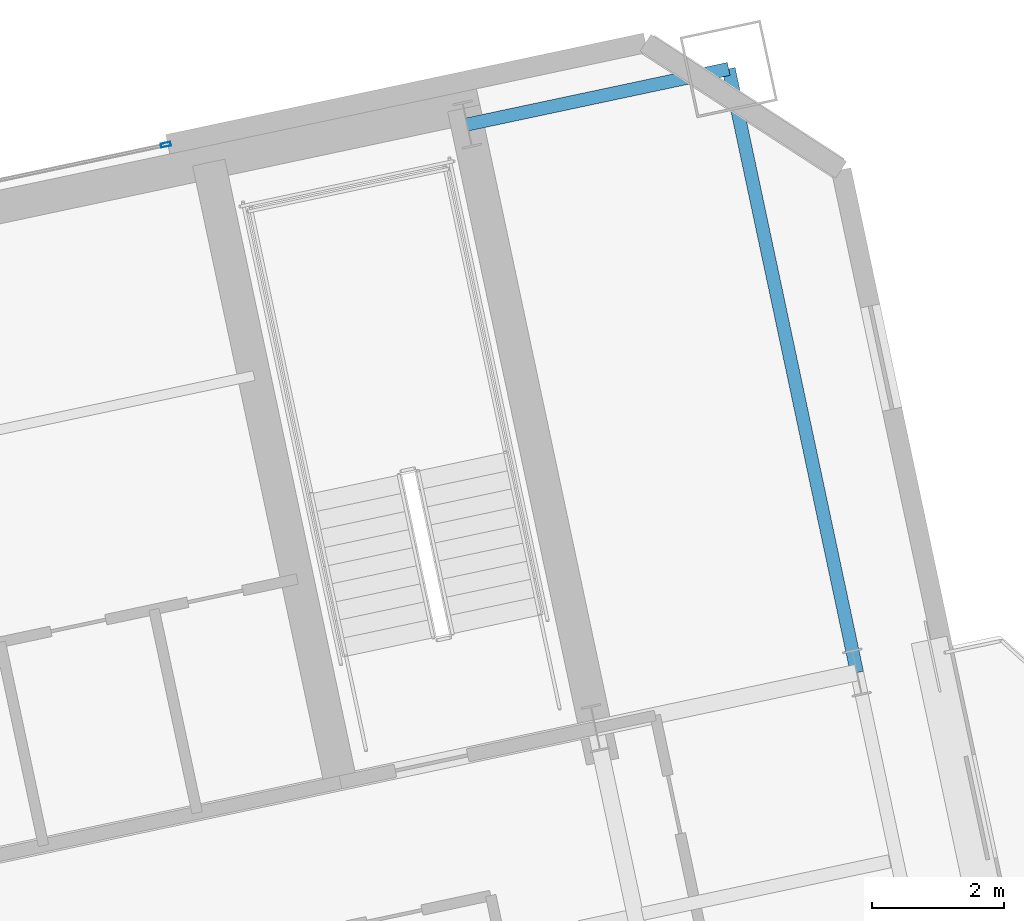
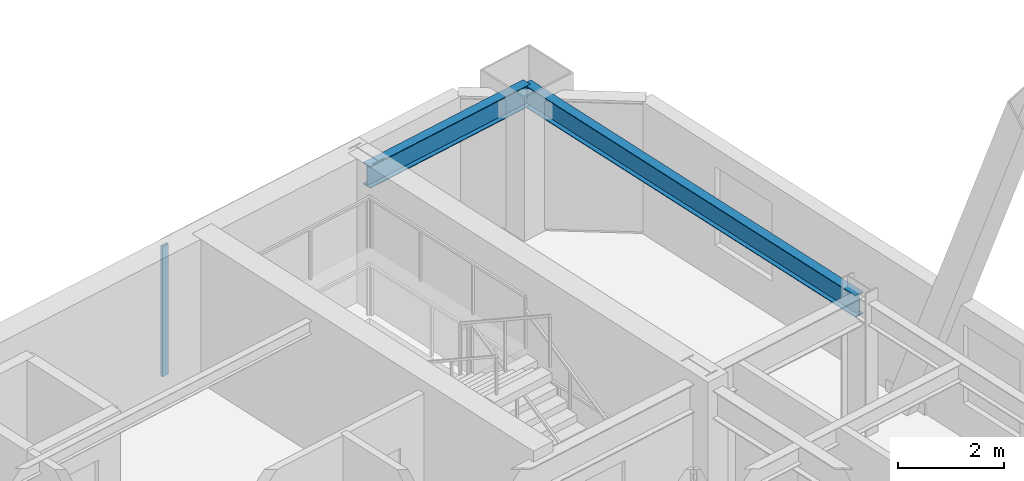
# One storey, part 7 of 19: 2 beams, 1 member, 1 element without a shape of its own.
"""IFC4 building model written with IfcOpenShell, lengths in metres."""

from ifc_helpers import new_model, si_unit, direction, frame, origin, origin_2d, place, context, subcontext, project, spatial, hollow_rectangle, i_section, extrude, material, layer, layer_set, material_profile, profile_set, type_object, element, aggregate, save


model = new_model("IFC4")

# Units and contexts
model_context = context("Model", 3, precision=1e-05, world=origin(), true_north=direction((0.0, 1.0)))
body_context = subcontext(model_context, "Body", "Model", "MODEL_VIEW")
ifc_project = project(units=[si_unit("LENGTHUNIT", "METRE"), si_unit("AREAUNIT", "SQUARE_METRE"), si_unit("VOLUMEUNIT", "CUBIC_METRE"), si_unit("PLANEANGLEUNIT", "RADIAN"), si_unit("MASSUNIT", "GRAM", prefix="KILO")], contexts=[model_context])

# Site, building, storey
site_placement = place(None, origin())
site = spatial("IfcSite", under=ifc_project, at=site_placement, CompositionType="ELEMENT")
building_placement = place(site_placement, origin())
building = spatial("IfcBuilding", under=site, at=building_placement, Name="Haevon Station Towers", CompositionType="ELEMENT")
storey_placement = place(building_placement, frame((0.0, 0.0, 156.0)))
storey = spatial("IfcBuildingStorey", under=building, at=storey_placement, Name="L42", CompositionType="ELEMENT", Elevation=156.0)

# Beams
ifc_material_1 = material(Name="Steel S355", Category="steel")
ifc_material_profile_1 = material_profile(ifc_material_1, i_section(OverallWidth=0.199951171875, OverallDepth=0.5, WebThickness=0.010009765625, FlangeThickness=0.01611328125, at=origin_2d()), Name="H-500x200x10x16")
ifc_profile_set_1 = profile_set([ifc_material_profile_1], Name="Steel S355")
beam_type = type_object("IfcBeamType", Name="BM-SP500", PredefinedType="SPANDREL", material=ifc_profile_set_1)
beam_1_placement = place(storey_placement, frame((117.349365234375, 50.954345703125, 2.800048828125), z_axis=(0.978149504816, 0.207902732613, 0.0), x_axis=(-0.207902732613, 0.978149504816, 0.0)))
element("IfcBeam", 1, at=beam_1_placement, inside=storey, type_object=beam_type, Name="BM-T2U-L42-04-04", PredefinedType="SPANDREL", context=body_context, shape_type="SweptSolid", body=[
    extrude(i_section(OverallWidth=0.199951171875, OverallDepth=0.5, WebThickness=0.010009765625, FlangeThickness=0.01611328125, at=origin_2d()), origin(), (0.0, 0.0, 1.0), 4.050048828125),
])
beam_2_placement = place(storey_placement, frame((123.2548828125, 42.650634765625, 2.800048828125), z_axis=(-0.207897167074, 0.978150687738, 0.0), x_axis=(-0.978150687738, -0.207897167074, 0.0)))
element("IfcBeam", 2, at=beam_2_placement, inside=storey, type_object=beam_type, Name="BM-T2V-L42-05-03", PredefinedType="SPANDREL", context=body_context, shape_type="SweptSolid", body=[
    extrude(i_section(OverallWidth=0.199951171875, OverallDepth=0.5, WebThickness=0.010009765625, FlangeThickness=0.01611328125, at=origin_2d()), origin(), (0.0, 0.0, 1.0), 9.35009765625),
])

# Curtain wall, member
ifc_material_2 = material(Name="Anodised aluminium and Low-E double glazing", Category="aluminium")
ifc_layer = layer(ifc_material_2, 0.179931640625)
ifc_layer_set = layer_set([ifc_layer], Name="Anodised aluminium and Low-E double glazing")
curtain_wall_type = type_object("IfcCurtainWallType", Name="CW-SYS5", PredefinedType="NOTDEFINED", material=ifc_layer_set)
curtain_wall_placement = place(storey_placement, origin())
curtain_wall = element("IfcCurtainWall", 3, at=curtain_wall_placement, inside=storey, type_object=curtain_wall_type, Name="L42 Curtain Wall CW-T2-L42-N", PredefinedType="NOTDEFINED")
ifc_material_3 = material(Name="Anodised aluminium 6063-T6", Category="aluminium")
ifc_material_profile_2 = material_profile(ifc_material_3, hollow_rectangle(XDim=0.06005859375, YDim=0.14990234375, WallThickness=0.00341796875, at=origin_2d()), Name="CWM-150x60x3.5")
ifc_profile_set_2 = profile_set([ifc_material_profile_2], Name="Anodised aluminium 6063-T6")
member_type = type_object("IfcMemberType", Name="CWM-150", PredefinedType="MULLION", material=ifc_profile_set_2)
member_placement = place(storey_placement, frame((112.783203125, 50.648193359375, 0.0), z_axis=(0.0, 0.0, 1.0), x_axis=(-0.207911783211, 0.978147581095, 0.0)))
member = element("IfcMember", 4, at=member_placement, type_object=member_type, Name="CW-SYS5 mullion 3", PredefinedType="MULLION", context=body_context, shape_type="SweptSolid", body=[
    extrude(hollow_rectangle(XDim=0.06005859375, YDim=0.14990234375, WallThickness=0.00341796875, at=origin_2d()), origin(), (0.0, 0.0, 1.0), 3.0),
])
aggregate(curtain_wall, [member])

save(model, "model.ifc")
